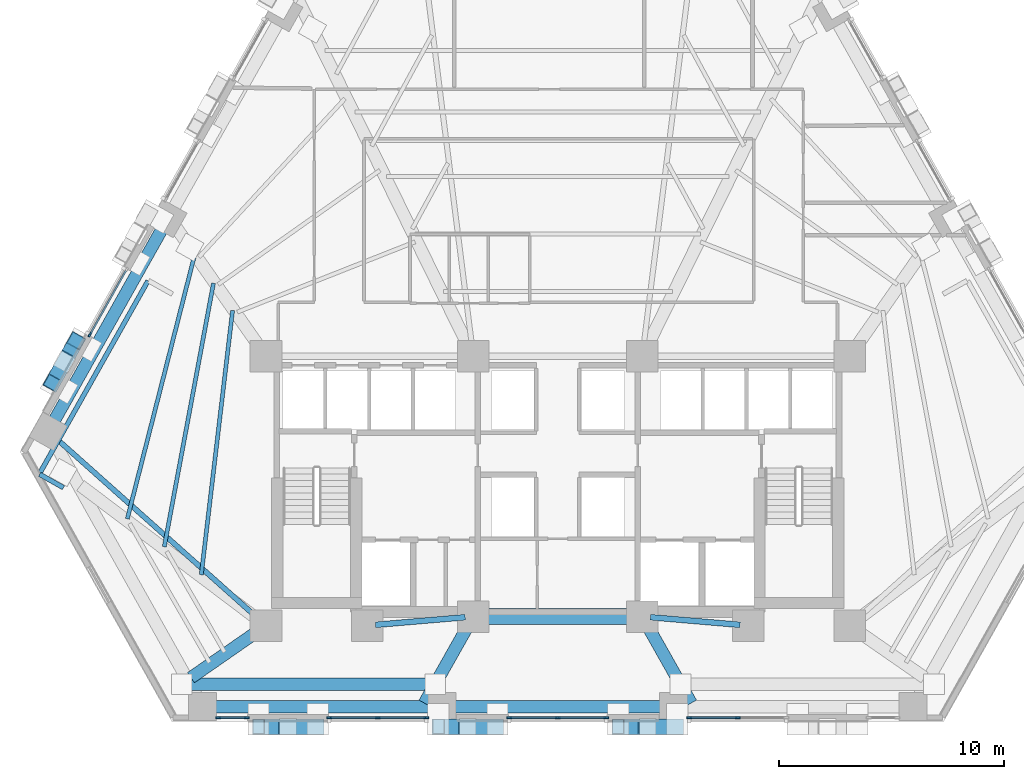
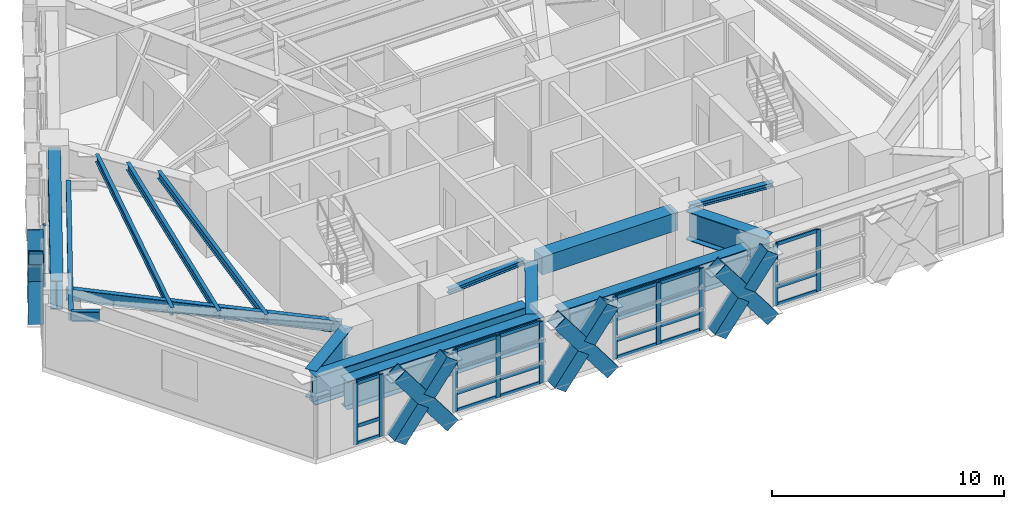
# One storey, part 2 of 14: 43 members, 16 beams, 5 elements without a shape of their own.
"""IFC4 building model written with IfcOpenShell, lengths in metres."""

from ifc_helpers import new_model, si_unit, direction, frame, origin, origin_2d, place, context, subcontext, project, spatial, rectangle, hollow_rectangle, i_section, extrude, material, material_profile, profile_set, type_object, element, aggregate, save


model = new_model("IFC4")

# Units and contexts
model_context = context("Model", 3, precision=1e-05, world=origin(), true_north=direction((0.0, 1.0)))
body_context = subcontext(model_context, "Body", "Model", "MODEL_VIEW")
ifc_project = project(units=[si_unit("LENGTHUNIT", "METRE"), si_unit("AREAUNIT", "SQUARE_METRE"), si_unit("VOLUMEUNIT", "CUBIC_METRE"), si_unit("PLANEANGLEUNIT", "RADIAN"), si_unit("MASSUNIT", "GRAM", prefix="KILO")], contexts=[model_context])

# Site, building, storey
site_placement = place(None, origin())
site = spatial("IfcSite", under=ifc_project, at=site_placement, CompositionType="ELEMENT")
building_placement = place(site_placement, origin())
building = spatial("IfcBuilding", under=site, at=building_placement, Name="Quenlor Broadcast Tower", CompositionType="ELEMENT")
storey_placement = place(building_placement, frame((0.0, 0.0, 73.10009765625)))
storey = spatial("IfcBuildingStorey", under=building, at=storey_placement, Name="L19", CompositionType="ELEMENT", Elevation=73.10009765625)

# Curtain wall, members
ifc_material_1 = material(Name="Architectural Terracotta and Low-E Glazing", Category="masonry")
curtain_wall_type = type_object("IfcCurtainWallType", Name="Unitised Terracotta Curtain Wall System Z1", PredefinedType="NOTDEFINED", material=ifc_material_1)
curtain_wall_1_placement = place(storey_placement, origin())
curtain_wall_1 = element("IfcCurtainWall", 1, at=curtain_wall_1_placement, inside=storey, type_object=curtain_wall_type, Name="L19 Curtain Wall CW1 (L19-SA-G2)", PredefinedType="NOTDEFINED")
ifc_material_2 = material(Name="Aluminium 6063-T6", Category="aluminium")
ifc_material_profile_1 = material_profile(ifc_material_2, rectangle(XDim=0.080078125, YDim=0.219970703125, at=origin_2d()))
ifc_profile_set_1 = profile_set([ifc_material_profile_1], Name="Aluminium 6063-T6 MULL80x220")
member_type_1 = type_object("IfcMemberType", Name="CW1 Aluminium Mullion MULL_CW1", PredefinedType="MULLION", material=ifc_profile_set_1)
member_1_placement = place(storey_placement, frame((7.982666015625, -20.840087890625, 0.0), z_axis=(0.0, 0.0, 1.0), x_axis=(0.0, -1.0, 0.0)))
member_1 = element("IfcMember", 2, at=member_1_placement, type_object=member_type_1, Name="CW1 mullion 2", PredefinedType="MULLION", context=body_context, shape_type="SweptSolid", body=[
    extrude(rectangle(XDim=0.080078125, YDim=0.219970703125, at=origin_2d()), origin(), (0.0, 0.0, 1.0), 3.25),
])
member_2_placement = place(storey_placement, frame((5.830810546875, -20.840087890625, 0.0), z_axis=(0.0, 0.0, 1.0), x_axis=(0.0, -1.0, 0.0)))
member_2 = element("IfcMember", 3, at=member_2_placement, type_object=member_type_1, Name="CW1 mullion 3", PredefinedType="MULLION", context=body_context, shape_type="SweptSolid", body=[
    extrude(rectangle(XDim=0.080078125, YDim=0.219970703125, at=origin_2d()), origin(), (0.0, 0.0, 1.0), 3.25),
])

curtain_wall_2_placement = place(storey_placement, origin())
curtain_wall_2 = element("IfcCurtainWall", 4, at=curtain_wall_2_placement, inside=storey, type_object=curtain_wall_type, Name="L19 Curtain Wall CW1 (L19-SC-G1)", PredefinedType="NOTDEFINED")
member_3_placement = place(storey_placement, frame((-5.830810546875, -20.840087890625, 0.0), z_axis=(0.0, 0.0, 1.0), x_axis=(0.0, -1.0, 0.0)))
member_3 = element("IfcMember", 5, at=member_3_placement, type_object=member_type_1, Name="CW1 mullion 1", PredefinedType="MULLION", context=body_context, shape_type="SweptSolid", body=[
    extrude(rectangle(XDim=0.080078125, YDim=0.219970703125, at=origin_2d()), origin(), (0.0, 0.0, 1.0), 3.25),
])
member_4_placement = place(storey_placement, frame((-7.982666015625, -20.840087890625, 0.0), z_axis=(0.0, 0.0, 1.0), x_axis=(0.0, -1.0, 0.0)))
member_4 = element("IfcMember", 6, at=member_4_placement, type_object=member_type_1, Name="CW1 mullion 2", PredefinedType="MULLION", context=body_context, shape_type="SweptSolid", body=[
    extrude(rectangle(XDim=0.080078125, YDim=0.219970703125, at=origin_2d()), origin(), (0.0, 0.0, 1.0), 3.25),
])
member_5_placement = place(storey_placement, frame((-10.134765625, -20.840087890625, 0.0), z_axis=(0.0, 0.0, 1.0), x_axis=(0.0, -1.0, 0.0)))
member_5 = element("IfcMember", 7, at=member_5_placement, type_object=member_type_1, Name="CW1 mullion 3", PredefinedType="MULLION", context=body_context, shape_type="SweptSolid", body=[
    extrude(rectangle(XDim=0.080078125, YDim=0.219970703125, at=origin_2d()), origin(), (0.0, 0.0, 1.0), 3.25),
])

curtain_wall_3_placement = place(storey_placement, origin())
curtain_wall_3 = element("IfcCurtainWall", 8, at=curtain_wall_3_placement, inside=storey, type_object=curtain_wall_type, Name="L19 Curtain Wall CW1 (L19-SC-G2)", PredefinedType="NOTDEFINED")
member_6_placement = place(storey_placement, frame((-13.806884765625, -20.840087890625, 0.0), z_axis=(0.0, 0.0, 1.0), x_axis=(0.0, -1.0, 0.0)))
member_6 = element("IfcMember", 9, at=member_6_placement, type_object=member_type_1, Name="CW1 mullion 1", PredefinedType="MULLION", context=body_context, shape_type="SweptSolid", body=[
    extrude(rectangle(XDim=0.080078125, YDim=0.219970703125, at=origin_2d()), origin(), (0.0, 0.0, 1.0), 3.25),
])
member_7_placement = place(storey_placement, frame((-15.0751953125, -20.840087890625, 0.0), z_axis=(0.0, 0.0, 1.0), x_axis=(0.0, -1.0, 0.0)))
member_7 = element("IfcMember", 10, at=member_7_placement, type_object=member_type_1, Name="CW1 mullion 2", PredefinedType="MULLION", context=body_context, shape_type="SweptSolid", body=[
    extrude(rectangle(XDim=0.080078125, YDim=0.219970703125, at=origin_2d()), origin(), (0.0, 0.0, 1.0), 3.25),
])

curtain_wall_4_placement = place(storey_placement, origin())
curtain_wall_4 = element("IfcCurtainWall", 11, at=curtain_wall_4_placement, inside=storey, type_object=curtain_wall_type, Name="L19 Curtain Wall CW1 (L19-S-G1)", PredefinedType="NOTDEFINED")
member_8_placement = place(storey_placement, frame((2.154296875, -20.840087890625, 0.0), z_axis=(0.0, 0.0, 1.0), x_axis=(0.0, -1.0, 0.0)))
member_8 = element("IfcMember", 12, at=member_8_placement, type_object=member_type_1, Name="CW1 mullion 1", PredefinedType="MULLION", context=body_context, shape_type="SweptSolid", body=[
    extrude(rectangle(XDim=0.080078125, YDim=0.219970703125, at=origin_2d()), origin(), (0.0, 0.0, 1.0), 3.25),
])
member_9_placement = place(storey_placement, frame((0.0, -20.840087890625, 0.0), z_axis=(0.0, 0.0, 1.0), x_axis=(0.0, -1.0, 0.0)))
member_9 = element("IfcMember", 13, at=member_9_placement, type_object=member_type_1, Name="CW1 mullion 2", PredefinedType="MULLION", context=body_context, shape_type="SweptSolid", body=[
    extrude(rectangle(XDim=0.080078125, YDim=0.219970703125, at=origin_2d()), origin(), (0.0, 0.0, 1.0), 3.25),
])
member_10_placement = place(storey_placement, frame((-2.154296875, -20.840087890625, 0.0), z_axis=(0.0, 0.0, 1.0), x_axis=(0.0, -1.0, 0.0)))
member_10 = element("IfcMember", 14, at=member_10_placement, type_object=member_type_1, Name="CW1 mullion 3", PredefinedType="MULLION", context=body_context, shape_type="SweptSolid", body=[
    extrude(rectangle(XDim=0.080078125, YDim=0.219970703125, at=origin_2d()), origin(), (0.0, 0.0, 1.0), 3.25),
])

# Curtain wall, member
curtain_wall_5_placement = place(storey_placement, origin())
curtain_wall_5 = element("IfcCurtainWall", 15, at=curtain_wall_5_placement, inside=storey, type_object=curtain_wall_type, Name="L19 Curtain Wall CW1 (L19-NWA-G1)", PredefinedType="NOTDEFINED")
member_11_placement = place(storey_placement, frame((-20.764892578125, -3.841552734375, 0.0), z_axis=(0.0, 0.0, 1.0), x_axis=(-0.871577906875, 0.49025702672, 0.0)))
member_11 = element("IfcMember", 16, at=member_11_placement, type_object=member_type_1, Name="CW1 mullion 1", PredefinedType="MULLION", context=body_context, shape_type="SweptSolid", body=[
    extrude(rectangle(XDim=0.080078125, YDim=0.219970703125, at=origin_2d()), origin(), (0.0, 0.0, 1.0), 3.25),
])

# Member
ifc_material_3 = material(Name="Aluminium 6063-T6", Category="aluminium")
ifc_material_profile_2 = material_profile(ifc_material_3, rectangle(XDim=0.080078125, YDim=0.179931640625, at=origin_2d()))
ifc_profile_set_2 = profile_set([ifc_material_profile_2], Name="Aluminium 6063-T6 TRAN80x180")
member_type_2 = type_object("IfcMemberType", Name="CW1 Aluminium Transom TRAN_CW1", PredefinedType="USERDEFINED", material=ifc_profile_set_2)
member_12_placement = place(storey_placement, frame((7.94287109375, -20.840087890625, 0.039794921875), z_axis=(-1.0, 0.0, 0.0), x_axis=(0.0, -1.0, 0.0)))
member_12 = element("IfcMember", 17, at=member_12_placement, type_object=member_type_2, Name="CW1 transom 2.1", ObjectType="TRANSOM", PredefinedType="USERDEFINED", context=body_context, shape_type="SweptSolid", body=[
    extrude(rectangle(XDim=0.080078125, YDim=0.179931640625, at=origin_2d()), origin(), (0.0, 0.0, 1.0), 2.072021484375),
])

member_13_placement = place(storey_placement, frame((7.94287109375, -20.840087890625, 0.949951171875), z_axis=(-1.0, 0.0, 0.0), x_axis=(0.0, -1.0, 0.0)))
member_13 = element("IfcMember", 18, at=member_13_placement, type_object=member_type_2, Name="CW1 transom 2.2", ObjectType="TRANSOM", PredefinedType="USERDEFINED", context=body_context, shape_type="SweptSolid", body=[
    extrude(rectangle(XDim=0.080078125, YDim=0.179931640625, at=origin_2d()), origin(), (0.0, 0.0, 1.0), 2.072021484375),
])

member_14_placement = place(storey_placement, frame((7.94287109375, -20.840087890625, 3.2099609375), z_axis=(-1.0, 0.0, 0.0), x_axis=(0.0, -1.0, 0.0)))
member_14 = element("IfcMember", 19, at=member_14_placement, type_object=member_type_2, Name="CW1 transom 2.3", ObjectType="TRANSOM", PredefinedType="USERDEFINED", context=body_context, shape_type="SweptSolid", body=[
    extrude(rectangle(XDim=0.080078125, YDim=0.179931640625, at=origin_2d()), origin(), (0.0, 0.0, 1.0), 2.072021484375),
])

aggregate(curtain_wall_1, [member_1, member_2, member_12, member_13, member_14])

member_15_placement = place(storey_placement, frame((-5.870849609375, -20.840087890625, 0.039794921875), z_axis=(-1.0, 0.0, 0.0), x_axis=(0.0, -1.0, 0.0)))
member_15 = element("IfcMember", 20, at=member_15_placement, type_object=member_type_2, Name="CW1 transom 1.1", ObjectType="TRANSOM", PredefinedType="USERDEFINED", context=body_context, shape_type="SweptSolid", body=[
    extrude(rectangle(XDim=0.080078125, YDim=0.179931640625, at=origin_2d()), origin(), (0.0, 0.0, 1.0), 2.072021484375),
])

member_16_placement = place(storey_placement, frame((-5.870849609375, -20.840087890625, 0.949951171875), z_axis=(-1.0, 0.0, 0.0), x_axis=(0.0, -1.0, 0.0)))
member_16 = element("IfcMember", 21, at=member_16_placement, type_object=member_type_2, Name="CW1 transom 1.2", ObjectType="TRANSOM", PredefinedType="USERDEFINED", context=body_context, shape_type="SweptSolid", body=[
    extrude(rectangle(XDim=0.080078125, YDim=0.179931640625, at=origin_2d()), origin(), (0.0, 0.0, 1.0), 2.072021484375),
])

member_17_placement = place(storey_placement, frame((-5.870849609375, -20.840087890625, 3.2099609375), z_axis=(-1.0, 0.0, 0.0), x_axis=(0.0, -1.0, 0.0)))
member_17 = element("IfcMember", 22, at=member_17_placement, type_object=member_type_2, Name="CW1 transom 1.3", ObjectType="TRANSOM", PredefinedType="USERDEFINED", context=body_context, shape_type="SweptSolid", body=[
    extrude(rectangle(XDim=0.080078125, YDim=0.179931640625, at=origin_2d()), origin(), (0.0, 0.0, 1.0), 2.072021484375),
])

member_18_placement = place(storey_placement, frame((-8.022705078125, -20.840087890625, 0.039794921875), z_axis=(-1.0, 0.0, 0.0), x_axis=(0.0, -1.0, 0.0)))
member_18 = element("IfcMember", 23, at=member_18_placement, type_object=member_type_2, Name="CW1 transom 2.1", ObjectType="TRANSOM", PredefinedType="USERDEFINED", context=body_context, shape_type="SweptSolid", body=[
    extrude(rectangle(XDim=0.080078125, YDim=0.179931640625, at=origin_2d()), origin(), (0.0, 0.0, 1.0), 2.072021484375),
])

member_19_placement = place(storey_placement, frame((-8.022705078125, -20.840087890625, 0.949951171875), z_axis=(-1.0, 0.0, 0.0), x_axis=(0.0, -1.0, 0.0)))
member_19 = element("IfcMember", 24, at=member_19_placement, type_object=member_type_2, Name="CW1 transom 2.2", ObjectType="TRANSOM", PredefinedType="USERDEFINED", context=body_context, shape_type="SweptSolid", body=[
    extrude(rectangle(XDim=0.080078125, YDim=0.179931640625, at=origin_2d()), origin(), (0.0, 0.0, 1.0), 2.072021484375),
])

member_20_placement = place(storey_placement, frame((-8.022705078125, -20.840087890625, 3.2099609375), z_axis=(-1.0, 0.0, 0.0), x_axis=(0.0, -1.0, 0.0)))
member_20 = element("IfcMember", 25, at=member_20_placement, type_object=member_type_2, Name="CW1 transom 2.3", ObjectType="TRANSOM", PredefinedType="USERDEFINED", context=body_context, shape_type="SweptSolid", body=[
    extrude(rectangle(XDim=0.080078125, YDim=0.179931640625, at=origin_2d()), origin(), (0.0, 0.0, 1.0), 2.072021484375),
])

aggregate(curtain_wall_2, [member_3, member_4, member_5, member_15, member_16, member_17, member_18, member_19, member_20])

member_21_placement = place(storey_placement, frame((-13.8466796875, -20.840087890625, 0.039794921875), z_axis=(-1.0, 0.0, 0.0), x_axis=(0.0, -1.0, 0.0)))
member_21 = element("IfcMember", 26, at=member_21_placement, type_object=member_type_2, Name="CW1 transom 1.1", ObjectType="TRANSOM", PredefinedType="USERDEFINED", context=body_context, shape_type="SweptSolid", body=[
    extrude(rectangle(XDim=0.080078125, YDim=0.179931640625, at=origin_2d()), origin(), (0.0, 0.0, 1.0), 1.1884765625),
])

member_22_placement = place(storey_placement, frame((-13.8466796875, -20.840087890625, 0.949951171875), z_axis=(-1.0, 0.0, 0.0), x_axis=(0.0, -1.0, 0.0)))
member_22 = element("IfcMember", 27, at=member_22_placement, type_object=member_type_2, Name="CW1 transom 1.2", ObjectType="TRANSOM", PredefinedType="USERDEFINED", context=body_context, shape_type="SweptSolid", body=[
    extrude(rectangle(XDim=0.080078125, YDim=0.179931640625, at=origin_2d()), origin(), (0.0, 0.0, 1.0), 1.1884765625),
])

member_23_placement = place(storey_placement, frame((-13.8466796875, -20.840087890625, 3.2099609375), z_axis=(-1.0, 0.0, 0.0), x_axis=(0.0, -1.0, 0.0)))
member_23 = element("IfcMember", 28, at=member_23_placement, type_object=member_type_2, Name="CW1 transom 1.3", ObjectType="TRANSOM", PredefinedType="USERDEFINED", context=body_context, shape_type="SweptSolid", body=[
    extrude(rectangle(XDim=0.080078125, YDim=0.179931640625, at=origin_2d()), origin(), (0.0, 0.0, 1.0), 1.1884765625),
])

aggregate(curtain_wall_3, [member_6, member_7, member_21, member_22, member_23])

member_24_placement = place(storey_placement, frame((2.1142578125, -20.840087890625, 0.039794921875), z_axis=(-1.0, 0.0, 0.0), x_axis=(0.0, -1.0, 0.0)))
member_24 = element("IfcMember", 29, at=member_24_placement, type_object=member_type_2, Name="CW1 transom 1.1", ObjectType="TRANSOM", PredefinedType="USERDEFINED", context=body_context, shape_type="SweptSolid", body=[
    extrude(rectangle(XDim=0.080078125, YDim=0.179931640625, at=origin_2d()), origin(), (0.0, 0.0, 1.0), 2.07421875),
])

member_25_placement = place(storey_placement, frame((2.1142578125, -20.840087890625, 0.949951171875), z_axis=(-1.0, 0.0, 0.0), x_axis=(0.0, -1.0, 0.0)))
member_25 = element("IfcMember", 30, at=member_25_placement, type_object=member_type_2, Name="CW1 transom 1.2", ObjectType="TRANSOM", PredefinedType="USERDEFINED", context=body_context, shape_type="SweptSolid", body=[
    extrude(rectangle(XDim=0.080078125, YDim=0.179931640625, at=origin_2d()), origin(), (0.0, 0.0, 1.0), 2.07421875),
])

member_26_placement = place(storey_placement, frame((2.1142578125, -20.840087890625, 3.2099609375), z_axis=(-1.0, 0.0, 0.0), x_axis=(0.0, -1.0, 0.0)))
member_26 = element("IfcMember", 31, at=member_26_placement, type_object=member_type_2, Name="CW1 transom 1.3", ObjectType="TRANSOM", PredefinedType="USERDEFINED", context=body_context, shape_type="SweptSolid", body=[
    extrude(rectangle(XDim=0.080078125, YDim=0.179931640625, at=origin_2d()), origin(), (0.0, 0.0, 1.0), 2.07421875),
])

member_27_placement = place(storey_placement, frame((-0.0400390625, -20.840087890625, 0.039794921875), z_axis=(-1.0, 0.0, 0.0), x_axis=(0.0, -1.0, 0.0)))
member_27 = element("IfcMember", 32, at=member_27_placement, type_object=member_type_2, Name="CW1 transom 2.1", ObjectType="TRANSOM", PredefinedType="USERDEFINED", context=body_context, shape_type="SweptSolid", body=[
    extrude(rectangle(XDim=0.080078125, YDim=0.179931640625, at=origin_2d()), origin(), (0.0, 0.0, 1.0), 2.07421875),
])

member_28_placement = place(storey_placement, frame((-0.0400390625, -20.840087890625, 0.949951171875), z_axis=(-1.0, 0.0, 0.0), x_axis=(0.0, -1.0, 0.0)))
member_28 = element("IfcMember", 33, at=member_28_placement, type_object=member_type_2, Name="CW1 transom 2.2", ObjectType="TRANSOM", PredefinedType="USERDEFINED", context=body_context, shape_type="SweptSolid", body=[
    extrude(rectangle(XDim=0.080078125, YDim=0.179931640625, at=origin_2d()), origin(), (0.0, 0.0, 1.0), 2.07421875),
])

member_29_placement = place(storey_placement, frame((-0.0400390625, -20.840087890625, 3.2099609375), z_axis=(-1.0, 0.0, 0.0), x_axis=(0.0, -1.0, 0.0)))
member_29 = element("IfcMember", 34, at=member_29_placement, type_object=member_type_2, Name="CW1 transom 2.3", ObjectType="TRANSOM", PredefinedType="USERDEFINED", context=body_context, shape_type="SweptSolid", body=[
    extrude(rectangle(XDim=0.080078125, YDim=0.179931640625, at=origin_2d()), origin(), (0.0, 0.0, 1.0), 2.07421875),
])

aggregate(curtain_wall_4, [member_8, member_9, member_10, member_24, member_25, member_26, member_27, member_28, member_29])

member_30_placement = place(storey_placement, frame((-20.7451171875, -3.806884765625, 0.039794921875), z_axis=(0.490250443683, 0.871581609758, 0.0), x_axis=(-0.871581609758, 0.490250443683, 0.0)))
member_30 = element("IfcMember", 35, at=member_30_placement, type_object=member_type_2, Name="CW1 transom 1.1", ObjectType="TRANSOM", PredefinedType="USERDEFINED", context=body_context, shape_type="SweptSolid", body=[
    extrude(rectangle(XDim=0.080078125, YDim=0.179931640625, at=origin_2d()), origin(), (0.0, 0.0, 1.0), 3.220947265625),
])

member_31_placement = place(storey_placement, frame((-20.7451171875, -3.806884765625, 0.949951171875), z_axis=(0.490250443683, 0.871581609758, 0.0), x_axis=(-0.871581609758, 0.490250443683, 0.0)))
member_31 = element("IfcMember", 36, at=member_31_placement, type_object=member_type_2, Name="CW1 transom 1.2", ObjectType="TRANSOM", PredefinedType="USERDEFINED", context=body_context, shape_type="SweptSolid", body=[
    extrude(rectangle(XDim=0.080078125, YDim=0.179931640625, at=origin_2d()), origin(), (0.0, 0.0, 1.0), 3.220947265625),
])

aggregate(curtain_wall_5, [member_11, member_30, member_31])

# Beams
ifc_material_4 = material(Name="Concrete C50/60", Category="concrete")
ifc_material_profile_3 = material_profile(ifc_material_4, rectangle(XDim=0.699951171875, YDim=0.949951171875, at=origin_2d()))
ifc_profile_set_3 = profile_set([ifc_material_profile_3], Name="Concrete C50/60 RCB700x950")
beam_type_1 = type_object("IfcBeamType", Name="Core Coupling Beam Concrete C50/60 700x950", PredefinedType="BEAM", material=ifc_profile_set_3)
beam_1_placement = place(storey_placement, frame((-3.389892578125, -16.35009765625, 2.77490234375), z_axis=(1.0, 0.0, 0.0), x_axis=(0.0, 1.0, 0.0)))
element("IfcBeam", 37, at=beam_1_placement, inside=storey, type_object=beam_type_1, Name="L19 Core Coupling Beam 6", PredefinedType="BEAM", context=body_context, shape_type="SweptSolid", body=[
    extrude(rectangle(XDim=0.699951171875, YDim=0.949951171875, at=origin_2d()), origin(), (0.0, 0.0, 1.0), 6.77978515625),
])
ifc_material_5 = material(Name="Steel S355", Category="steel")
ifc_material_profile_4 = material_profile(ifc_material_5, i_section(OverallWidth=0.25390625, OverallDepth=0.25390625, WebThickness=0.008544921875, FlangeThickness=0.01416015625, FilletRadius=0.013916015625, at=origin_2d()))
ifc_profile_set_4 = profile_set([ifc_material_profile_4], Name="Steel S355 250UC72.9")
beam_type_2 = type_object("IfcBeamType", Name="Core Opening Lintel Beam Steel S355 250UC72.9", PredefinedType="LINTEL", material=ifc_profile_set_4)
for number, where, z_axis, x_axis, name in (
    (38, (-8.09130859375, -16.719482421875, 3.123046875), (0.996399763903, 0.084779186679, 0.0), (-0.084779186679, 0.996399763903, 0.0), "L19 Core Opening Lintel Beam 4"),
    (39, (4.108642578125, -16.380615234375, 3.123046875), (0.996399763903, -0.084779186679, 0.0), (0.084779186679, 0.996399763903, 0.0), "L19 Core Opening Lintel Beam 5"),
):
    element("IfcBeam", number, at=place(storey_placement, frame(where, z_axis=z_axis, x_axis=x_axis)), inside=storey, type_object=beam_type_2, Name=name, PredefinedType="LINTEL", context=body_context, shape_type="SweptSolid", body=[
        extrude(i_section(OverallWidth=0.25390625, OverallDepth=0.25390625, WebThickness=0.008544921875, FlangeThickness=0.01416015625, FilletRadius=0.013916015625, at=origin_2d()), origin(), (0.0, 0.0, 1.0), 3.9970703125),
    ])

# Members
ifc_material_6 = material(Name="Steel S355", Category="steel")
ifc_material_profile_5 = material_profile(ifc_material_6, hollow_rectangle(XDim=0.679931640625, YDim=0.679931640625, WallThickness=0.034912109375, at=origin_2d()))
ifc_profile_set_5 = profile_set([ifc_material_profile_5], Name="Steel S355 RHS680x680x35")
member_type_3 = type_object("IfcMemberType", Name="Perimeter Diagonal Lattice Brace Z1 Steel S355 RHS680x35", PredefinedType="BRACE", material=ifc_profile_set_5)
member_32_placement = place(storey_placement, frame((5.304443359375, -21.235107421875, -0.1201171875), z_axis=(-0.60049964856, 0.0, 0.799625019668), x_axis=(0.0, -1.0, 0.0)))
element("IfcMember", 40, at=member_32_placement, inside=storey, type_object=member_type_3, Name="L19 Perimeter Diamond Lattice S-C2XA", PredefinedType="BRACE", context=body_context, shape_type="SweptSolid", body=[
    extrude(hollow_rectangle(XDim=0.679931640625, YDim=0.679931640625, WallThickness=0.034912109375, at=origin_2d()), origin(), (0.0, 0.0, 1.0), 4.376953125),
])
for number, where, z_axis, x_axis, name in (
    (41, (2.676025390625, -21.235107421875, -0.1201171875), (0.600503659272, 0.0, 0.799622007701), (0.0, 1.0, 0.0), "L19 Perimeter Diamond Lattice S-C2XB1"),
    (42, (4.140380859375, -21.235107421875, 1.829833984375), (0.600503659272, 0.0, 0.799622007701), (0.0, 1.0, 0.0), "L19 Perimeter Diamond Lattice S-C2XB2"),
):
    element("IfcMember", number, at=place(storey_placement, frame(where, z_axis=z_axis, x_axis=x_axis)), inside=storey, type_object=member_type_3, Name=name, PredefinedType="BRACE", context=body_context, shape_type="SweptSolid", body=[
        extrude(hollow_rectangle(XDim=0.679931640625, YDim=0.679931640625, WallThickness=0.034912109375, at=origin_2d()), origin(), (0.0, 0.0, 1.0), 1.9384765625),
    ])
member_33_placement = place(storey_placement, frame((-2.676025390625, -21.235107421875, -0.1201171875), z_axis=(-0.60049964856, 0.0, 0.799625019668), x_axis=(0.0, -1.0, 0.0)))
element("IfcMember", 43, at=member_33_placement, inside=storey, type_object=member_type_3, Name="L19 Perimeter Diamond Lattice S-C3XA", PredefinedType="BRACE", context=body_context, shape_type="SweptSolid", body=[
    extrude(hollow_rectangle(XDim=0.679931640625, YDim=0.679931640625, WallThickness=0.034912109375, at=origin_2d()), origin(), (0.0, 0.0, 1.0), 4.376953125),
])
for number, where, z_axis, x_axis, name in (
    (44, (-5.304443359375, -21.235107421875, -0.1201171875), (0.600503659272, 0.0, 0.799622007701), (0.0, 1.0, 0.0), "L19 Perimeter Diamond Lattice S-C3XB1"),
    (45, (-3.840087890625, -21.235107421875, 1.829833984375), (0.600503659272, 0.0, 0.799622007701), (0.0, 1.0, 0.0), "L19 Perimeter Diamond Lattice S-C3XB2"),
):
    element("IfcMember", number, at=place(storey_placement, frame(where, z_axis=z_axis, x_axis=x_axis)), inside=storey, type_object=member_type_3, Name=name, PredefinedType="BRACE", context=body_context, shape_type="SweptSolid", body=[
        extrude(hollow_rectangle(XDim=0.679931640625, YDim=0.679931640625, WallThickness=0.034912109375, at=origin_2d()), origin(), (0.0, 0.0, 1.0), 1.9384765625),
    ])
member_34_placement = place(storey_placement, frame((-10.656494140625, -21.235107421875, -0.1201171875), z_axis=(-0.60049964856, 0.0, 0.799625019668), x_axis=(0.0, -1.0, 0.0)))
element("IfcMember", 46, at=member_34_placement, inside=storey, type_object=member_type_3, Name="L19 Perimeter Diamond Lattice S-C4XA", PredefinedType="BRACE", context=body_context, shape_type="SweptSolid", body=[
    extrude(hollow_rectangle(XDim=0.679931640625, YDim=0.679931640625, WallThickness=0.034912109375, at=origin_2d()), origin(), (0.0, 0.0, 1.0), 4.376953125),
])
for number, where, z_axis, x_axis, name in (
    (47, (-13.284912109375, -21.235107421875, -0.1201171875), (0.600503659272, 0.0, 0.799622007701), (0.0, 1.0, 0.0), "L19 Perimeter Diamond Lattice S-C4XB1"),
    (48, (-11.820556640625, -21.235107421875, 1.829833984375), (0.600503659272, 0.0, 0.799622007701), (0.0, 1.0, 0.0), "L19 Perimeter Diamond Lattice S-C4XB2"),
):
    element("IfcMember", number, at=place(storey_placement, frame(where, z_axis=z_axis, x_axis=x_axis)), inside=storey, type_object=member_type_3, Name=name, PredefinedType="BRACE", context=body_context, shape_type="SweptSolid", body=[
        extrude(hollow_rectangle(XDim=0.679931640625, YDim=0.679931640625, WallThickness=0.034912109375, at=origin_2d()), origin(), (0.0, 0.0, 1.0), 1.9384765625),
    ])
member_35_placement = place(storey_placement, frame((-22.4248046875, -5.98681640625, -0.1201171875), z_axis=(0.256430888508, 0.455784649039, 0.8523517778), x_axis=(-0.871533027316, 0.490336804959, 0.0)))
element("IfcMember", 49, at=member_35_placement, inside=storey, type_object=member_type_3, Name="L19 Perimeter Diamond Lattice NW-C1XA", PredefinedType="BRACE", context=body_context, shape_type="SweptSolid", body=[
    extrude(hollow_rectangle(XDim=0.679931640625, YDim=0.679931640625, WallThickness=0.034912109375, at=origin_2d()), origin(), (0.0, 0.0, 1.0), 4.106201171875),
])
for number, where, z_axis, x_axis, name in (
    (50, (-21.371826171875, -4.115234375, -0.1201171875), (-0.256451721554, -0.455763724789, 0.852356698618), (0.871506382136, -0.490384161547, 0.0), "L19 Perimeter Diamond Lattice NW-C1XB1"),
    (51, (-21.96240234375, -5.1650390625, 1.843017578125), (-0.256451721554, -0.455763724789, 0.852356698618), (0.871506382136, -0.490384161547, 0.0), "L19 Perimeter Diamond Lattice NW-C1XB2"),
):
    element("IfcMember", number, at=place(storey_placement, frame(where, z_axis=z_axis, x_axis=x_axis)), inside=storey, type_object=member_type_3, Name=name, PredefinedType="BRACE", context=body_context, shape_type="SweptSolid", body=[
        extrude(hollow_rectangle(XDim=0.679931640625, YDim=0.679931640625, WallThickness=0.034912109375, at=origin_2d()), origin(), (0.0, 0.0, 1.0), 1.802978515625),
    ])

# Beams
ifc_material_7 = material(Name="Steel S355", Category="steel")
ifc_material_profile_6 = material_profile(ifc_material_7, i_section(OverallWidth=0.208984375, OverallDepth=0.532958984375, WebThickness=0.01025390625, FlangeThickness=0.015625, FilletRadius=0.013916015625, at=origin_2d()))
ifc_profile_set_6 = profile_set([ifc_material_profile_6], Name="Steel S355 530UB92.4")
beam_type_3 = type_object("IfcBeamType", Name="Perimeter Spandrel Beam Z1 Steel S355 530UB92.4", PredefinedType="SPANDREL", material=ifc_profile_set_6)
beam_2_placement = place(storey_placement, frame((-21.9384765625, -10.63134765625, 2.9833984375), z_axis=(-0.871575537125, 0.490261239633, 0.0), x_axis=(-0.490261239633, -0.871575537125, 0.0)))
element("IfcBeam", 52, at=beam_2_placement, inside=storey, type_object=beam_type_3, Name="L19 Lattice Sill Radial Tie NWA1", PredefinedType="SPANDREL", context=body_context, shape_type="SweptSolid", body=[
    extrude(i_section(OverallWidth=0.208984375, OverallDepth=0.532958984375, WebThickness=0.01025390625, FlangeThickness=0.015625, FilletRadius=0.013916015625, at=origin_2d()), origin(), (0.0, 0.0, 1.0), 1.210205078125),
])
beam_3_placement = place(storey_placement, frame((-23.000732421875, -10.010986328125, 2.9833984375), z_axis=(0.490265961788, 0.871572880895, 0.0), x_axis=(-0.871572880895, 0.490265961788, 0.0)))
element("IfcBeam", 53, at=beam_3_placement, inside=storey, type_object=beam_type_3, Name="L19 Lattice Sill Girder NWA", PredefinedType="SPANDREL", context=body_context, shape_type="SweptSolid", body=[
    extrude(i_section(OverallWidth=0.208984375, OverallDepth=0.532958984375, WebThickness=0.01025390625, FlangeThickness=0.015625, FilletRadius=0.013916015625, at=origin_2d()), origin(), (0.0, 0.0, 1.0), 9.818603515625),
])
ifc_material_8 = material(Name="Steel S355", Category="steel")
ifc_material_profile_7 = material_profile(ifc_material_8, i_section(OverallWidth=0.177978515625, OverallDepth=0.406494140625, WebThickness=0.0078125, FlangeThickness=0.0126953125, FilletRadius=0.011474609375, at=origin_2d()))
ifc_profile_set_7 = profile_set([ifc_material_profile_7], Name="Steel S355 410UB59.7")
beam_type_4 = type_object("IfcBeamType", Name="Tower Composite Joist Z1 Steel S355 410UB59.7", PredefinedType="JOIST", material=ifc_profile_set_7)
beam_4_placement = place(storey_placement, frame((-15.822509765625, -14.496337890625, 3.046630859375), z_axis=(0.11761838758, 0.993058867793, 0.0), x_axis=(-0.993058867793, 0.11761838758, 0.0)))
element("IfcBeam", 54, at=beam_4_placement, inside=storey, type_object=beam_type_4, Name="L19 Secondary Composite Joist 13", PredefinedType="JOIST", context=body_context, shape_type="SweptSolid", body=[
    extrude(i_section(OverallWidth=0.177978515625, OverallDepth=0.406494140625, WebThickness=0.0078125, FlangeThickness=0.0126953125, FilletRadius=0.011474609375, at=origin_2d()), origin(), (0.0, 0.0, 1.0), 11.810791015625),
])
beam_5_placement = place(storey_placement, frame((-17.464111328125, -13.254638671875, 3.046630859375), z_axis=(0.183502930041, 0.983019162919, 0.0), x_axis=(-0.983019162919, 0.183502930041, 0.0)))
element("IfcBeam", 55, at=beam_5_placement, inside=storey, type_object=beam_type_4, Name="L19 Secondary Composite Joist 14", PredefinedType="JOIST", context=body_context, shape_type="SweptSolid", body=[
    extrude(i_section(OverallWidth=0.177978515625, OverallDepth=0.406494140625, WebThickness=0.0078125, FlangeThickness=0.0126953125, FilletRadius=0.011474609375, at=origin_2d()), origin(), (0.0, 0.0, 1.0), 11.896728515625),
])
beam_6_placement = place(storey_placement, frame((-19.10595703125, -12.01318359375, 3.046630859375), z_axis=(0.24739621111, 0.968914400104, 0.0), x_axis=(-0.968914400104, 0.24739621111, 0.0)))
element("IfcBeam", 56, at=beam_6_placement, inside=storey, type_object=beam_type_4, Name="L19 Secondary Composite Joist 15", PredefinedType="JOIST", context=body_context, shape_type="SweptSolid", body=[
    extrude(i_section(OverallWidth=0.177978515625, OverallDepth=0.406494140625, WebThickness=0.0078125, FlangeThickness=0.0126953125, FilletRadius=0.011474609375, at=origin_2d()), origin(), (0.0, 0.0, 1.0), 12.035400390625),
])
ifc_material_9 = material(Name="Steel S355", Category="steel")
ifc_material_profile_8 = material_profile(ifc_material_9, i_section(OverallWidth=0.22900390625, OverallDepth=0.611572265625, WebThickness=0.011962890625, FlangeThickness=0.01953125, FilletRadius=0.013916015625, at=origin_2d()))
ifc_profile_set_8 = profile_set([ifc_material_profile_8], Name="Steel S355 610UB125")
beam_type_5 = type_object("IfcBeamType", Name="Tower Primary Floor Beam Z1 Steel S355 610UB125", PredefinedType="BEAM", material=ifc_profile_set_8)
beam_7_placement = place(storey_placement, frame((-22.31005859375, -8.40478515625, 2.944091796875), z_axis=(0.746413754585, -0.665482161268, 0.0), x_axis=(0.665482161268, 0.746413754585, 0.0)))
element("IfcBeam", 57, at=beam_7_placement, inside=storey, type_object=beam_type_5, Name="L19 Primary Radial Beam NW4", PredefinedType="BEAM", context=body_context, shape_type="SweptSolid", body=[
    extrude(i_section(OverallWidth=0.22900390625, OverallDepth=0.611572265625, WebThickness=0.011962890625, FlangeThickness=0.01953125, FilletRadius=0.013916015625, at=origin_2d()), origin(), (0.0, 0.0, 1.0), 12.159912109375),
])
ifc_material_10 = material(Name="Steel S355", Category="steel")
ifc_material_profile_9 = material_profile(ifc_material_10, i_section(OverallWidth=0.550048828125, OverallDepth=1.5, WebThickness=0.02197265625, FlangeThickness=0.034912109375, FilletRadius=0.01806640625, at=origin_2d()))
ifc_profile_set_9 = profile_set([ifc_material_profile_9], Name="Steel S355 1500TG510")
beam_type_6 = type_object("IfcBeamType", Name="Zone Setback Transfer Girder Steel S355 1500", PredefinedType="BEAM", material=ifc_profile_set_9)
beam_8_placement = place(storey_placement, frame((-15.35498046875, -20.35009765625, 2.5), z_axis=(1.0, 0.0, 0.0), x_axis=(0.0, 1.0, 0.0)))
element("IfcBeam", 58, at=beam_8_placement, inside=storey, type_object=beam_type_6, Name="L19 Spandrel Beam S1-S2", PredefinedType="BEAM", context=body_context, shape_type="SweptSolid", body=[
    extrude(i_section(OverallWidth=0.550048828125, OverallDepth=1.5, WebThickness=0.02197265625, FlangeThickness=0.034912109375, FilletRadius=0.01806640625, at=origin_2d()), origin(), (0.0, 0.0, 1.0), 9.80419921875),
])
beam_9_placement = place(storey_placement, frame((-4.730712890625, -20.35009765625, 2.5), z_axis=(1.0, 0.0, 0.0), x_axis=(0.0, 1.0, 0.0)))
element("IfcBeam", 59, at=beam_9_placement, inside=storey, type_object=beam_type_6, Name="L19 Spandrel Beam S2-S3", PredefinedType="BEAM", context=body_context, shape_type="SweptSolid", body=[
    extrude(i_section(OverallWidth=0.550048828125, OverallDepth=1.5, WebThickness=0.02197265625, FlangeThickness=0.034912109375, FilletRadius=0.01806640625, at=origin_2d()), origin(), (0.0, 0.0, 1.0), 9.46142578125),
])
beam_10_placement = place(storey_placement, frame((-17.5048828125, 0.954345703125, 2.5), z_axis=(-0.490257767622, -0.871577490121, 0.0), x_axis=(0.871577490121, -0.490257767622, 0.0)))
element("IfcBeam", 60, at=beam_10_placement, inside=storey, type_object=beam_type_6, Name="L19 Spandrel Beam NW3-NW4", PredefinedType="BEAM", context=body_context, shape_type="SweptSolid", body=[
    extrude(i_section(OverallWidth=0.550048828125, OverallDepth=1.5, WebThickness=0.02197265625, FlangeThickness=0.034912109375, FilletRadius=0.01806640625, at=origin_2d()), origin(), (0.0, 0.0, 1.0), 10.015380859375),
])
beam_11_placement = place(storey_placement, frame((-13.26220703125, -16.966796875, 2.5), z_axis=(-0.821248927367, -0.570570065196, 0.0), x_axis=(0.570570065196, -0.821248927367, 0.0)))
element("IfcBeam", 61, at=beam_11_placement, inside=storey, type_object=beam_type_6, Name="L19 Setback Transfer Girder S1", PredefinedType="BEAM", context=body_context, shape_type="SweptSolid", body=[
    extrude(i_section(OverallWidth=0.550048828125, OverallDepth=1.5, WebThickness=0.02197265625, FlangeThickness=0.034912109375, FilletRadius=0.01806640625, at=origin_2d()), origin(), (0.0, 0.0, 1.0), 3.675537109375),
])
for number, where, z_axis, x_axis, name in (
    (62, (-3.936767578125, -16.680908203125, 2.5), (-0.491542538205, -0.870853565839, 0.0), (0.870853565839, -0.491542538205, 0.0), "L19 Setback Transfer Girder S2"),
    (63, (3.936767578125, -16.680908203125, 2.5), (0.491542538205, -0.870853565839, 0.0), (0.870853565839, 0.491542538205, 0.0), "L19 Setback Transfer Girder S3"),
):
    element("IfcBeam", number, at=place(storey_placement, frame(where, z_axis=z_axis, x_axis=x_axis)), inside=storey, type_object=beam_type_6, Name=name, PredefinedType="BEAM", context=body_context, shape_type="SweptSolid", body=[
        extrude(i_section(OverallWidth=0.550048828125, OverallDepth=1.5, WebThickness=0.02197265625, FlangeThickness=0.034912109375, FilletRadius=0.01806640625, at=origin_2d()), origin(), (0.0, 0.0, 1.0), 4.032958984375),
    ])
beam_12_placement = place(storey_placement, frame((-16.37255859375, -19.35009765625, 2.5), z_axis=(1.0, 0.0, 0.0), x_axis=(0.0, 1.0, 0.0)))
element("IfcBeam", 64, at=beam_12_placement, inside=storey, type_object=beam_type_6, Name="L19 South Setback Collector Girder A", PredefinedType="BEAM", context=body_context, shape_type="SweptSolid", body=[
    extrude(i_section(OverallWidth=0.550048828125, OverallDepth=1.5, WebThickness=0.02197265625, FlangeThickness=0.034912109375, FilletRadius=0.01806640625, at=origin_2d()), origin(), (0.0, 0.0, 1.0), 10.609375),
])

save(model, "model.ifc")
